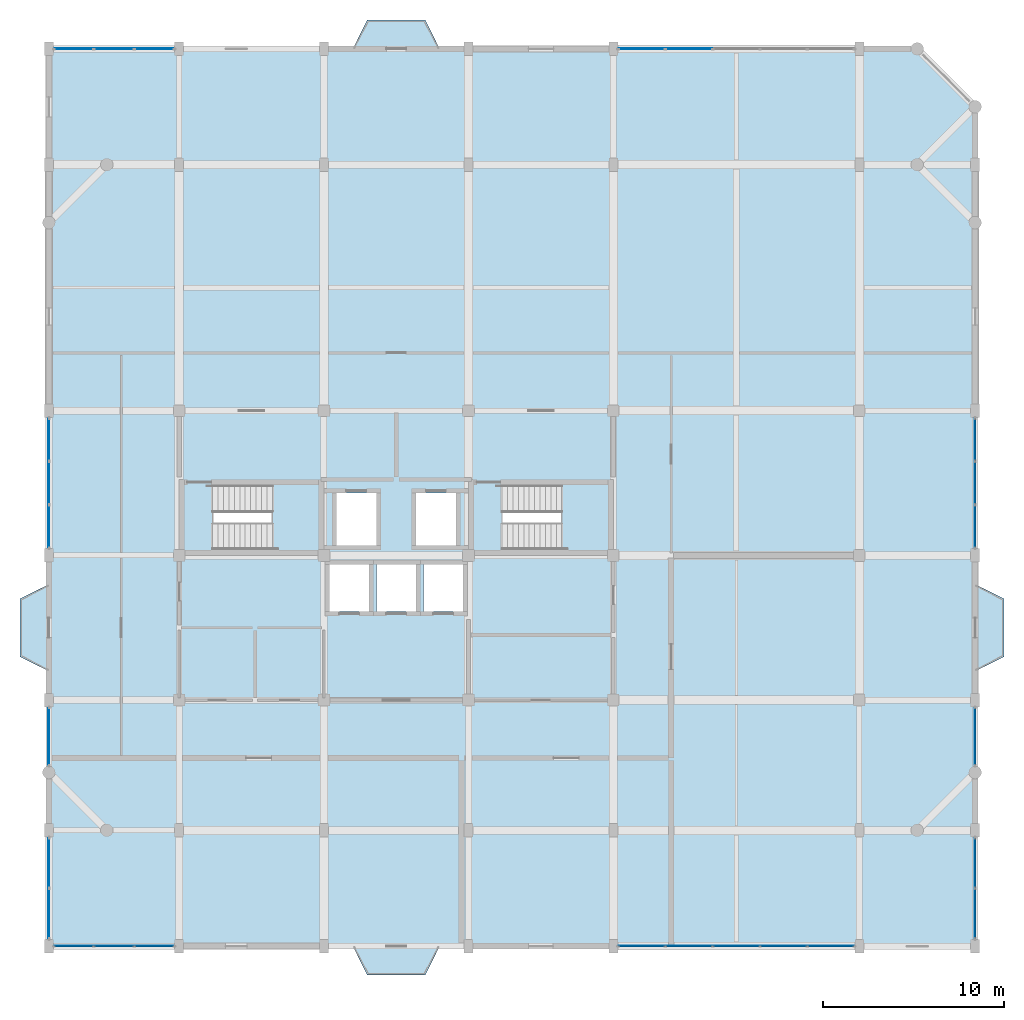
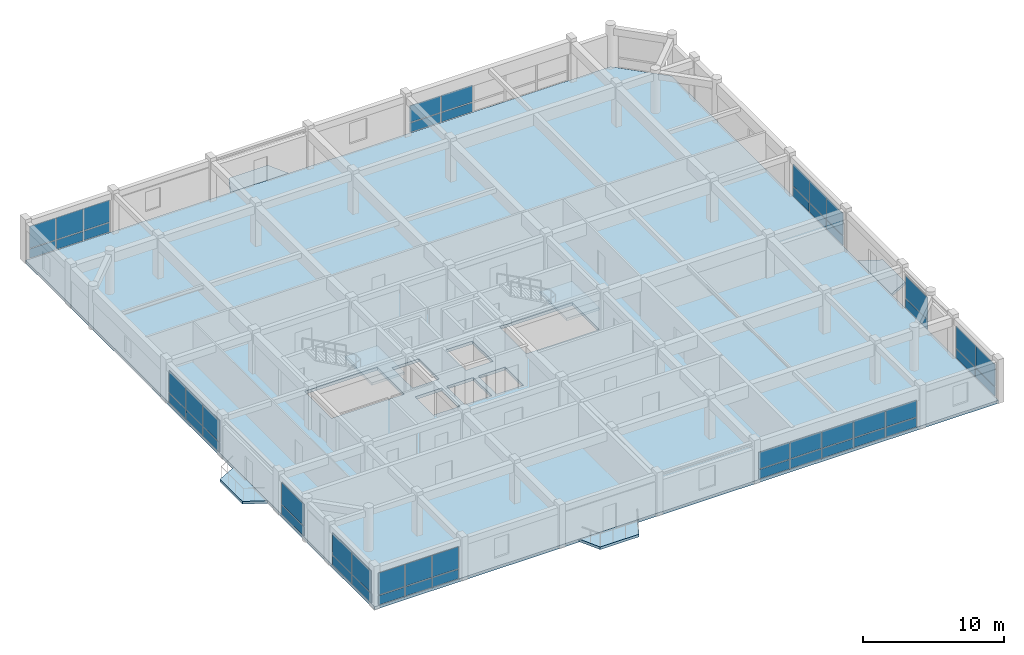
# One storey, part 9 of 13: 50 plates, 7 slabs, 12 elements without a shape of their own.
"""IFC4 building model written with IfcOpenShell, lengths in metres."""

from ifc_helpers import new_model, si_unit, direction, frame, origin, origin_2d, place, context, subcontext, project, spatial, polyline, rectangle, outline, extrude, material, layer, layer_set, type_object, element, aggregate, save


model = new_model("IFC4")

# Units and contexts
model_context = context("Model", 3, precision=1e-05, world=origin(), true_north=direction((0.0, 1.0)))
body_context = subcontext(model_context, "Body", "Model", "MODEL_VIEW")
ifc_project = project(units=[si_unit("LENGTHUNIT", "METRE"), si_unit("AREAUNIT", "SQUARE_METRE"), si_unit("VOLUMEUNIT", "CUBIC_METRE"), si_unit("PLANEANGLEUNIT", "RADIAN"), si_unit("MASSUNIT", "GRAM", prefix="KILO")], contexts=[model_context])

# Site, building, storey
site_placement = place(None, origin())
site = spatial("IfcSite", under=ifc_project, at=site_placement, CompositionType="ELEMENT")
building_placement = place(site_placement, origin())
building = spatial("IfcBuilding", under=site, at=building_placement, Name="Vellmiral Cinema and Media Centre", CompositionType="ELEMENT")
storey_placement = place(building_placement, frame((0.0, 0.0, 43.300048828125)))
storey = spatial("IfcBuildingStorey", under=building, at=storey_placement, Name="L10", CompositionType="ELEMENT", Elevation=43.300048828125)

# Curtain wall, plates
ifc_material_1 = material(Name="Thermally Broken Aluminium and Triple Glazing", Category="aluminium")
curtain_wall_type_1 = type_object("IfcCurtainWallType", Name="CW-TOWER-MID-W", PredefinedType="USERDEFINED", material=ifc_material_1)
curtain_wall_1_placement = place(storey_placement, origin())
curtain_wall_1 = element("IfcCurtainWall", 1, at=curtain_wall_1_placement, inside=storey, type_object=curtain_wall_type_1, Name="Curtain Wall L10-B017", ObjectType="UNITISED CURTAIN WALL", PredefinedType="USERDEFINED")
ifc_material_2 = material(Name="Laminated Studio Acoustic Glazing", Category="glass")
ifc_layer_1 = layer(ifc_material_2, 0.0439453125, Name="Laminated Studio Acoustic Glazing")
ifc_layer_set_1 = layer_set([ifc_layer_1], Name="Laminated Studio Acoustic Glazing")
plate_type_1 = type_object("IfcPlateType", Name="CWP-ACOUST-44", PredefinedType="CURTAIN_PANEL", material=ifc_layer_set_1)
plate_1_placement = place(storey_placement, frame((152.179931640625, 115.199951171875, 0.932373046875), z_axis=(0.0, 0.0, 1.0), x_axis=(-1.0, 0.0, 0.0)))
plate_1 = element("IfcPlate", 2, at=plate_1_placement, type_object=plate_type_1, Name="CW-08 panel 4.2", PredefinedType="CURTAIN_PANEL", context=body_context, shape_type="SweptSolid", body=[
    extrude(rectangle(XDim=2.554931640625, YDim=0.0439453125, at=origin_2d()), origin(), (0.0, 0.0, 1.0), 1.4375),
])
plate_2_placement = place(storey_placement, frame((149.576171875, 115.199951171875, 0.932373046875), z_axis=(0.0, 0.0, 1.0), x_axis=(-1.0, 0.0, 0.0)))
plate_2 = element("IfcPlate", 3, at=plate_2_placement, type_object=plate_type_1, Name="CW-08 panel 5.2", PredefinedType="CURTAIN_PANEL", context=body_context, shape_type="SweptSolid", body=[
    extrude(rectangle(XDim=2.5224609375, YDim=0.0439453125, at=origin_2d()), origin(), (0.0, 0.0, 1.0), 1.4375),
])

curtain_wall_2_placement = place(storey_placement, origin())
curtain_wall_2 = element("IfcCurtainWall", 4, at=curtain_wall_2_placement, inside=storey, type_object=curtain_wall_type_1, Name="Curtain Wall L10-B021", ObjectType="UNITISED CURTAIN WALL", PredefinedType="USERDEFINED")
plate_3_placement = place(storey_placement, frame((122.6171875, 115.199951171875, 0.9326171875), z_axis=(0.0, 0.0, 1.0), x_axis=(-1.0, 0.0, 0.0)))
plate_3 = element("IfcPlate", 5, at=plate_3_placement, type_object=plate_type_1, Name="CW-08 panel 1.2", PredefinedType="CURTAIN_PANEL", context=body_context, shape_type="SweptSolid", body=[
    extrude(rectangle(XDim=2.1357421875, YDim=0.0439453125, at=origin_2d()), origin(), (0.0, 0.0, 1.0), 1.902587890625),
])
plate_4_placement = place(storey_placement, frame((120.39990234375, 115.199951171875, 0.9326171875), z_axis=(0.0, 0.0, 1.0), x_axis=(-1.0, 0.0, 0.0)))
plate_4 = element("IfcPlate", 6, at=plate_4_placement, type_object=plate_type_1, Name="CW-08 panel 2.2", PredefinedType="CURTAIN_PANEL", context=body_context, shape_type="SweptSolid", body=[
    extrude(rectangle(XDim=2.168212890625, YDim=0.0439453125, at=origin_2d()), origin(), (0.0, 0.0, 1.0), 1.902587890625),
])
plate_5_placement = place(storey_placement, frame((118.182861328125, 115.199951171875, 0.9326171875), z_axis=(0.0, 0.0, 1.0), x_axis=(-1.0, 0.0, 0.0)))
plate_5 = element("IfcPlate", 7, at=plate_5_placement, type_object=plate_type_1, Name="CW-08 panel 3.2", PredefinedType="CURTAIN_PANEL", context=body_context, shape_type="SweptSolid", body=[
    extrude(rectangle(XDim=2.1357421875, YDim=0.0439453125, at=origin_2d()), origin(), (0.0, 0.0, 1.0), 1.902587890625),
])

curtain_wall_3_placement = place(storey_placement, origin())
curtain_wall_3 = element("IfcCurtainWall", 8, at=curtain_wall_3_placement, inside=storey, type_object=curtain_wall_type_1, Name="Curtain Wall L10-B025", ObjectType="UNITISED CURTAIN WALL", PredefinedType="USERDEFINED")
plate_6_placement = place(storey_placement, frame((116.800048828125, 93.600341796875, 0.9326171875), z_axis=(0.0, 0.0, 1.0), x_axis=(0.0, -1.0, 0.0)))
plate_6 = element("IfcPlate", 9, at=plate_6_placement, type_object=plate_type_1, Name="CW-08 panel 1.2", PredefinedType="CURTAIN_PANEL", context=body_context, shape_type="SweptSolid", body=[
    extrude(rectangle(XDim=2.319091796875, YDim=0.0439453125, at=origin_2d()), origin(), (0.0, 0.0, 1.0), 1.887451171875),
])
plate_7_placement = place(storey_placement, frame((116.800048828125, 91.199951171875, 0.9326171875), z_axis=(0.0, 0.0, 1.0), x_axis=(0.0, -1.0, 0.0)))
plate_7 = element("IfcPlate", 10, at=plate_7_placement, type_object=plate_type_1, Name="CW-08 panel 2.2", PredefinedType="CURTAIN_PANEL", context=body_context, shape_type="SweptSolid", body=[
    extrude(rectangle(XDim=2.3515625, YDim=0.0439453125, at=origin_2d()), origin(), (0.0, 0.0, 1.0), 1.887451171875),
])
plate_8_placement = place(storey_placement, frame((116.800048828125, 88.799560546875, 0.9326171875), z_axis=(0.0, 0.0, 1.0), x_axis=(0.0, -1.0, 0.0)))
plate_8 = element("IfcPlate", 11, at=plate_8_placement, type_object=plate_type_1, Name="CW-08 panel 3.2", PredefinedType="CURTAIN_PANEL", context=body_context, shape_type="SweptSolid", body=[
    extrude(rectangle(XDim=2.319091796875, YDim=0.0439453125, at=origin_2d()), origin(), (0.0, 0.0, 1.0), 1.887451171875),
])

# Curtain wall, plate
curtain_wall_4_placement = place(storey_placement, origin())
curtain_wall_4 = element("IfcCurtainWall", 12, at=curtain_wall_4_placement, inside=storey, type_object=curtain_wall_type_1, Name="Curtain Wall L10-B027", ObjectType="UNITISED CURTAIN WALL", PredefinedType="USERDEFINED")
plate_9_placement = place(storey_placement, frame((116.800048828125, 77.1875, 0.9326171875), z_axis=(0.0, 0.0, 1.0), x_axis=(0.0, -1.0, 0.0)))
plate_9 = element("IfcPlate", 13, at=plate_9_placement, type_object=plate_type_1, Name="CW-08 panel 1.2", PredefinedType="CURTAIN_PANEL", context=body_context, shape_type="SweptSolid", body=[
    extrude(rectangle(XDim=3.14501953125, YDim=0.0439453125, at=origin_2d()), origin(), (0.0, 0.0, 1.0), 1.902587890625),
])

# Curtain wall, plates
curtain_wall_5_placement = place(storey_placement, origin())
curtain_wall_5 = element("IfcCurtainWall", 14, at=curtain_wall_5_placement, inside=storey, type_object=curtain_wall_type_1, Name="Curtain Wall L10-B029", ObjectType="UNITISED CURTAIN WALL", PredefinedType="USERDEFINED")
plate_10_placement = place(storey_placement, frame((116.800048828125, 70.1962890625, 0.9326171875), z_axis=(0.0, 0.0, 1.0), x_axis=(0.0, -1.0, 0.0)))
plate_10 = element("IfcPlate", 15, at=plate_10_placement, type_object=plate_type_1, Name="CW-08 panel 1.2", PredefinedType="CURTAIN_PANEL", context=body_context, shape_type="SweptSolid", body=[
    extrude(rectangle(XDim=2.7275390625, YDim=0.0439453125, at=origin_2d()), origin(), (0.0, 0.0, 1.0), 1.902587890625),
])
plate_11_placement = place(storey_placement, frame((116.800048828125, 67.40380859375, 0.9326171875), z_axis=(0.0, 0.0, 1.0), x_axis=(0.0, -1.0, 0.0)))
plate_11 = element("IfcPlate", 16, at=plate_11_placement, type_object=plate_type_1, Name="CW-08 panel 2.2", PredefinedType="CURTAIN_PANEL", context=body_context, shape_type="SweptSolid", body=[
    extrude(rectangle(XDim=2.7275390625, YDim=0.0439453125, at=origin_2d()), origin(), (0.0, 0.0, 1.0), 1.902587890625),
])

ifc_material_3 = material(Name="Thermally Broken Aluminium and Triple Glazing", Category="aluminium")
curtain_wall_type_2 = type_object("IfcCurtainWallType", Name="CW-TOWER-MID-E", PredefinedType="USERDEFINED", material=ifc_material_3)
curtain_wall_6_placement = place(storey_placement, origin())
curtain_wall_6 = element("IfcCurtainWall", 17, at=curtain_wall_6_placement, inside=storey, type_object=curtain_wall_type_2, Name="Curtain Wall L10-B001", ObjectType="UNITISED CURTAIN WALL", PredefinedType="USERDEFINED")
ifc_material_4 = material(Name="Honed Vosges Sandstone Spandrel Panel", Category="masonry")
ifc_layer_2 = layer(ifc_material_4, 0.06005859375, Name="Honed Vosges Sandstone Spandrel Panel")
ifc_layer_set_2 = layer_set([ifc_layer_2], Name="Honed Vosges Sandstone Spandrel Panel")
plate_type_2 = type_object("IfcPlateType", Name="CWP-SAND-60", PredefinedType="CURTAIN_PANEL", material=ifc_layer_set_2)
plate_12_placement = place(storey_placement, frame((118.182861328125, 65.60009765625, 0.06494140625), z_axis=(0.0, 0.0, 1.0), x_axis=(1.0, 0.0, 0.0)))
plate_12 = element("IfcPlate", 18, at=plate_12_placement, type_object=plate_type_2, Name="CW-07 panel 1.1", PredefinedType="CURTAIN_PANEL", context=body_context, shape_type="SweptSolid", body=[
    extrude(rectangle(XDim=2.1357421875, YDim=0.06005859375, at=origin_2d()), origin(), (0.0, 0.0, 1.0), 0.802490234375),
])
plate_13_placement = place(storey_placement, frame((120.39990234375, 65.60009765625, 0.06494140625), z_axis=(0.0, 0.0, 1.0), x_axis=(1.0, 0.0, 0.0)))
plate_13 = element("IfcPlate", 19, at=plate_13_placement, type_object=plate_type_2, Name="CW-07 panel 2.1", PredefinedType="CURTAIN_PANEL", context=body_context, shape_type="SweptSolid", body=[
    extrude(rectangle(XDim=2.168212890625, YDim=0.06005859375, at=origin_2d()), origin(), (0.0, 0.0, 1.0), 0.802490234375),
])
plate_14_placement = place(storey_placement, frame((122.6171875, 65.60009765625, 0.06494140625), z_axis=(0.0, 0.0, 1.0), x_axis=(1.0, 0.0, 0.0)))
plate_14 = element("IfcPlate", 20, at=plate_14_placement, type_object=plate_type_2, Name="CW-07 panel 3.1", PredefinedType="CURTAIN_PANEL", context=body_context, shape_type="SweptSolid", body=[
    extrude(rectangle(XDim=2.1357421875, YDim=0.06005859375, at=origin_2d()), origin(), (0.0, 0.0, 1.0), 0.802490234375),
])

curtain_wall_7_placement = place(storey_placement, origin())
curtain_wall_7 = element("IfcCurtainWall", 21, at=curtain_wall_7_placement, inside=storey, type_object=curtain_wall_type_2, Name="Curtain Wall L10-B005", ObjectType="UNITISED CURTAIN WALL", PredefinedType="USERDEFINED")
plate_15_placement = place(storey_placement, frame((149.576171875, 65.60009765625, 0.06494140625), z_axis=(0.0, 0.0, 1.0), x_axis=(1.0, 0.0, 0.0)))
plate_15 = element("IfcPlate", 22, at=plate_15_placement, type_object=plate_type_2, Name="CW-07 panel 1.1", PredefinedType="CURTAIN_PANEL", context=body_context, shape_type="SweptSolid", body=[
    extrude(rectangle(XDim=2.5224609375, YDim=0.06005859375, at=origin_2d()), origin(), (0.0, 0.0, 1.0), 0.802490234375),
])
plate_16_placement = place(storey_placement, frame((152.179931640625, 65.60009765625, 0.06494140625), z_axis=(0.0, 0.0, 1.0), x_axis=(1.0, 0.0, 0.0)))
plate_16 = element("IfcPlate", 23, at=plate_16_placement, type_object=plate_type_2, Name="CW-07 panel 2.1", PredefinedType="CURTAIN_PANEL", context=body_context, shape_type="SweptSolid", body=[
    extrude(rectangle(XDim=2.554931640625, YDim=0.06005859375, at=origin_2d()), origin(), (0.0, 0.0, 1.0), 0.802490234375),
])
plate_17_placement = place(storey_placement, frame((154.800048828125, 65.60009765625, 0.06494140625), z_axis=(0.0, 0.0, 1.0), x_axis=(1.0, 0.0, 0.0)))
plate_17 = element("IfcPlate", 24, at=plate_17_placement, type_object=plate_type_2, Name="CW-07 panel 3.1", PredefinedType="CURTAIN_PANEL", context=body_context, shape_type="SweptSolid", body=[
    extrude(rectangle(XDim=2.554931640625, YDim=0.06005859375, at=origin_2d()), origin(), (0.0, 0.0, 1.0), 0.802490234375),
])
plate_18_placement = place(storey_placement, frame((157.419921875, 65.60009765625, 0.06494140625), z_axis=(0.0, 0.0, 1.0), x_axis=(1.0, 0.0, 0.0)))
plate_18 = element("IfcPlate", 25, at=plate_18_placement, type_object=plate_type_2, Name="CW-07 panel 4.1", PredefinedType="CURTAIN_PANEL", context=body_context, shape_type="SweptSolid", body=[
    extrude(rectangle(XDim=2.554931640625, YDim=0.06005859375, at=origin_2d()), origin(), (0.0, 0.0, 1.0), 0.802490234375),
])
plate_19_placement = place(storey_placement, frame((160.023681640625, 65.60009765625, 0.06494140625), z_axis=(0.0, 0.0, 1.0), x_axis=(1.0, 0.0, 0.0)))
plate_19 = element("IfcPlate", 26, at=plate_19_placement, type_object=plate_type_2, Name="CW-07 panel 5.1", PredefinedType="CURTAIN_PANEL", context=body_context, shape_type="SweptSolid", body=[
    extrude(rectangle(XDim=2.5224609375, YDim=0.06005859375, at=origin_2d()), origin(), (0.0, 0.0, 1.0), 0.802490234375),
])

curtain_wall_8_placement = place(storey_placement, origin())
curtain_wall_8 = element("IfcCurtainWall", 27, at=curtain_wall_8_placement, inside=storey, type_object=curtain_wall_type_2, Name="Curtain Wall L10-B007", ObjectType="UNITISED CURTAIN WALL", PredefinedType="USERDEFINED")
plate_20_placement = place(storey_placement, frame((168.0, 67.40380859375, 0.06494140625), z_axis=(0.0, 0.0, 1.0), x_axis=(0.0, 1.0, 0.0)))
plate_20 = element("IfcPlate", 28, at=plate_20_placement, type_object=plate_type_2, Name="CW-07 panel 1.1", PredefinedType="CURTAIN_PANEL", context=body_context, shape_type="SweptSolid", body=[
    extrude(rectangle(XDim=2.7275390625, YDim=0.06005859375, at=origin_2d()), origin(), (0.0, 0.0, 1.0), 0.802490234375),
])
plate_21_placement = place(storey_placement, frame((168.0, 70.1962890625, 0.06494140625), z_axis=(0.0, 0.0, 1.0), x_axis=(0.0, 1.0, 0.0)))
plate_21 = element("IfcPlate", 29, at=plate_21_placement, type_object=plate_type_2, Name="CW-07 panel 2.1", PredefinedType="CURTAIN_PANEL", context=body_context, shape_type="SweptSolid", body=[
    extrude(rectangle(XDim=2.7275390625, YDim=0.06005859375, at=origin_2d()), origin(), (0.0, 0.0, 1.0), 0.802490234375),
])

# Curtain wall, plate
curtain_wall_9_placement = place(storey_placement, origin())
curtain_wall_9 = element("IfcCurtainWall", 30, at=curtain_wall_9_placement, inside=storey, type_object=curtain_wall_type_2, Name="Curtain Wall L10-B009", ObjectType="UNITISED CURTAIN WALL", PredefinedType="USERDEFINED")
plate_22_placement = place(storey_placement, frame((168.0, 77.1875, 0.06494140625), z_axis=(0.0, 0.0, 1.0), x_axis=(0.0, 1.0, 0.0)))
plate_22 = element("IfcPlate", 31, at=plate_22_placement, type_object=plate_type_2, Name="CW-07 panel 1.1", PredefinedType="CURTAIN_PANEL", context=body_context, shape_type="SweptSolid", body=[
    extrude(rectangle(XDim=3.14501953125, YDim=0.06005859375, at=origin_2d()), origin(), (0.0, 0.0, 1.0), 0.802490234375),
])

# Curtain wall, plates
curtain_wall_10_placement = place(storey_placement, origin())
curtain_wall_10 = element("IfcCurtainWall", 32, at=curtain_wall_10_placement, inside=storey, type_object=curtain_wall_type_2, Name="Curtain Wall L10-B011", ObjectType="UNITISED CURTAIN WALL", PredefinedType="USERDEFINED")
plate_23_placement = place(storey_placement, frame((168.0, 88.799560546875, 0.06494140625), z_axis=(0.0, 0.0, 1.0), x_axis=(0.0, 1.0, 0.0)))
plate_23 = element("IfcPlate", 33, at=plate_23_placement, type_object=plate_type_2, Name="CW-07 panel 1.1", PredefinedType="CURTAIN_PANEL", context=body_context, shape_type="SweptSolid", body=[
    extrude(rectangle(XDim=2.319091796875, YDim=0.06005859375, at=origin_2d()), origin(), (0.0, 0.0, 1.0), 0.802490234375),
])
plate_24_placement = place(storey_placement, frame((168.0, 91.199951171875, 0.06494140625), z_axis=(0.0, 0.0, 1.0), x_axis=(0.0, 1.0, 0.0)))
plate_24 = element("IfcPlate", 34, at=plate_24_placement, type_object=plate_type_2, Name="CW-07 panel 2.1", PredefinedType="CURTAIN_PANEL", context=body_context, shape_type="SweptSolid", body=[
    extrude(rectangle(XDim=2.3515625, YDim=0.06005859375, at=origin_2d()), origin(), (0.0, 0.0, 1.0), 0.802490234375),
])
plate_25_placement = place(storey_placement, frame((168.0, 93.600341796875, 0.06494140625), z_axis=(0.0, 0.0, 1.0), x_axis=(0.0, 1.0, 0.0)))
plate_25 = element("IfcPlate", 35, at=plate_25_placement, type_object=plate_type_2, Name="CW-07 panel 3.1", PredefinedType="CURTAIN_PANEL", context=body_context, shape_type="SweptSolid", body=[
    extrude(rectangle(XDim=2.319091796875, YDim=0.06005859375, at=origin_2d()), origin(), (0.0, 0.0, 1.0), 0.802490234375),
])

# Plate
ifc_material_5 = material(Name="Solar-Control Acoustic Triple Glazing", Category="glass")
ifc_layer_3 = layer(ifc_material_5, 0.0419921875, Name="Solar-Control Acoustic Triple Glazing")
ifc_layer_set_3 = layer_set([ifc_layer_3], Name="Solar-Control Acoustic Triple Glazing")
plate_type_3 = type_object("IfcPlateType", Name="CWP-SOLAR-42", PredefinedType="CURTAIN_PANEL", material=ifc_layer_set_3)
plate_26_placement = place(storey_placement, frame((118.182861328125, 65.60009765625, 0.9326171875), z_axis=(0.0, 0.0, 1.0), x_axis=(1.0, 0.0, 0.0)))
plate_26 = element("IfcPlate", 36, at=plate_26_placement, type_object=plate_type_3, Name="CW-07 panel 1.2", PredefinedType="CURTAIN_PANEL", context=body_context, shape_type="SweptSolid", body=[
    extrude(rectangle(XDim=2.1357421875, YDim=0.0419921875, at=origin_2d()), origin(), (0.0, 0.0, 1.0), 1.902587890625),
])

plate_27_placement = place(storey_placement, frame((120.39990234375, 65.60009765625, 0.9326171875), z_axis=(0.0, 0.0, 1.0), x_axis=(1.0, 0.0, 0.0)))
plate_27 = element("IfcPlate", 37, at=plate_27_placement, type_object=plate_type_3, Name="CW-07 panel 2.2", PredefinedType="CURTAIN_PANEL", context=body_context, shape_type="SweptSolid", body=[
    extrude(rectangle(XDim=2.168212890625, YDim=0.0419921875, at=origin_2d()), origin(), (0.0, 0.0, 1.0), 1.902587890625),
])

plate_28_placement = place(storey_placement, frame((122.6171875, 65.60009765625, 0.9326171875), z_axis=(0.0, 0.0, 1.0), x_axis=(1.0, 0.0, 0.0)))
plate_28 = element("IfcPlate", 38, at=plate_28_placement, type_object=plate_type_3, Name="CW-07 panel 3.2", PredefinedType="CURTAIN_PANEL", context=body_context, shape_type="SweptSolid", body=[
    extrude(rectangle(XDim=2.1357421875, YDim=0.0419921875, at=origin_2d()), origin(), (0.0, 0.0, 1.0), 1.902587890625),
])

aggregate(curtain_wall_6, [plate_12, plate_26, plate_13, plate_27, plate_14, plate_28])

plate_29_placement = place(storey_placement, frame((149.576171875, 65.60009765625, 0.932373046875), z_axis=(0.0, 0.0, 1.0), x_axis=(1.0, 0.0, 0.0)))
plate_29 = element("IfcPlate", 39, at=plate_29_placement, type_object=plate_type_3, Name="CW-07 panel 1.2", PredefinedType="CURTAIN_PANEL", context=body_context, shape_type="SweptSolid", body=[
    extrude(rectangle(XDim=2.5224609375, YDim=0.0419921875, at=origin_2d()), origin(), (0.0, 0.0, 1.0), 1.4375),
])

plate_30_placement = place(storey_placement, frame((152.179931640625, 65.60009765625, 0.932373046875), z_axis=(0.0, 0.0, 1.0), x_axis=(1.0, 0.0, 0.0)))
plate_30 = element("IfcPlate", 40, at=plate_30_placement, type_object=plate_type_3, Name="CW-07 panel 2.2", PredefinedType="CURTAIN_PANEL", context=body_context, shape_type="SweptSolid", body=[
    extrude(rectangle(XDim=2.554931640625, YDim=0.0419921875, at=origin_2d()), origin(), (0.0, 0.0, 1.0), 1.4375),
])

plate_31_placement = place(storey_placement, frame((154.800048828125, 65.60009765625, 0.932373046875), z_axis=(0.0, 0.0, 1.0), x_axis=(1.0, 0.0, 0.0)))
plate_31 = element("IfcPlate", 41, at=plate_31_placement, type_object=plate_type_3, Name="CW-07 panel 3.2", PredefinedType="CURTAIN_PANEL", context=body_context, shape_type="SweptSolid", body=[
    extrude(rectangle(XDim=2.554931640625, YDim=0.0419921875, at=origin_2d()), origin(), (0.0, 0.0, 1.0), 1.4375),
])

plate_32_placement = place(storey_placement, frame((157.419921875, 65.60009765625, 0.932373046875), z_axis=(0.0, 0.0, 1.0), x_axis=(1.0, 0.0, 0.0)))
plate_32 = element("IfcPlate", 42, at=plate_32_placement, type_object=plate_type_3, Name="CW-07 panel 4.2", PredefinedType="CURTAIN_PANEL", context=body_context, shape_type="SweptSolid", body=[
    extrude(rectangle(XDim=2.554931640625, YDim=0.0419921875, at=origin_2d()), origin(), (0.0, 0.0, 1.0), 1.4375),
])

plate_33_placement = place(storey_placement, frame((160.023681640625, 65.60009765625, 0.932373046875), z_axis=(0.0, 0.0, 1.0), x_axis=(1.0, 0.0, 0.0)))
plate_33 = element("IfcPlate", 43, at=plate_33_placement, type_object=plate_type_3, Name="CW-07 panel 5.2", PredefinedType="CURTAIN_PANEL", context=body_context, shape_type="SweptSolid", body=[
    extrude(rectangle(XDim=2.5224609375, YDim=0.0419921875, at=origin_2d()), origin(), (0.0, 0.0, 1.0), 1.4375),
])

aggregate(curtain_wall_7, [plate_15, plate_29, plate_16, plate_30, plate_17, plate_31, plate_18, plate_32, plate_19, plate_33])

plate_34_placement = place(storey_placement, frame((168.0, 67.40380859375, 0.9326171875), z_axis=(0.0, 0.0, 1.0), x_axis=(0.0, 1.0, 0.0)))
plate_34 = element("IfcPlate", 44, at=plate_34_placement, type_object=plate_type_3, Name="CW-07 panel 1.2", PredefinedType="CURTAIN_PANEL", context=body_context, shape_type="SweptSolid", body=[
    extrude(rectangle(XDim=2.7275390625, YDim=0.0419921875, at=origin_2d()), origin(), (0.0, 0.0, 1.0), 1.902587890625),
])

plate_35_placement = place(storey_placement, frame((168.0, 70.1962890625, 0.9326171875), z_axis=(0.0, 0.0, 1.0), x_axis=(0.0, 1.0, 0.0)))
plate_35 = element("IfcPlate", 45, at=plate_35_placement, type_object=plate_type_3, Name="CW-07 panel 2.2", PredefinedType="CURTAIN_PANEL", context=body_context, shape_type="SweptSolid", body=[
    extrude(rectangle(XDim=2.7275390625, YDim=0.0419921875, at=origin_2d()), origin(), (0.0, 0.0, 1.0), 1.902587890625),
])

aggregate(curtain_wall_8, [plate_20, plate_34, plate_21, plate_35])

plate_36_placement = place(storey_placement, frame((168.0, 77.1875, 0.9326171875), z_axis=(0.0, 0.0, 1.0), x_axis=(0.0, 1.0, 0.0)))
plate_36 = element("IfcPlate", 46, at=plate_36_placement, type_object=plate_type_3, Name="CW-07 panel 1.2", PredefinedType="CURTAIN_PANEL", context=body_context, shape_type="SweptSolid", body=[
    extrude(rectangle(XDim=3.14501953125, YDim=0.0419921875, at=origin_2d()), origin(), (0.0, 0.0, 1.0), 1.902587890625),
])

aggregate(curtain_wall_9, [plate_22, plate_36])

plate_37_placement = place(storey_placement, frame((168.0, 88.799560546875, 0.9326171875), z_axis=(0.0, 0.0, 1.0), x_axis=(0.0, 1.0, 0.0)))
plate_37 = element("IfcPlate", 47, at=plate_37_placement, type_object=plate_type_3, Name="CW-07 panel 1.2", PredefinedType="CURTAIN_PANEL", context=body_context, shape_type="SweptSolid", body=[
    extrude(rectangle(XDim=2.319091796875, YDim=0.0419921875, at=origin_2d()), origin(), (0.0, 0.0, 1.0), 1.902587890625),
])

plate_38_placement = place(storey_placement, frame((168.0, 91.199951171875, 0.9326171875), z_axis=(0.0, 0.0, 1.0), x_axis=(0.0, 1.0, 0.0)))
plate_38 = element("IfcPlate", 48, at=plate_38_placement, type_object=plate_type_3, Name="CW-07 panel 2.2", PredefinedType="CURTAIN_PANEL", context=body_context, shape_type="SweptSolid", body=[
    extrude(rectangle(XDim=2.3515625, YDim=0.0419921875, at=origin_2d()), origin(), (0.0, 0.0, 1.0), 1.902587890625),
])

plate_39_placement = place(storey_placement, frame((168.0, 93.600341796875, 0.9326171875), z_axis=(0.0, 0.0, 1.0), x_axis=(0.0, 1.0, 0.0)))
plate_39 = element("IfcPlate", 49, at=plate_39_placement, type_object=plate_type_3, Name="CW-07 panel 3.2", PredefinedType="CURTAIN_PANEL", context=body_context, shape_type="SweptSolid", body=[
    extrude(rectangle(XDim=2.319091796875, YDim=0.0419921875, at=origin_2d()), origin(), (0.0, 0.0, 1.0), 1.902587890625),
])

aggregate(curtain_wall_10, [plate_23, plate_37, plate_24, plate_38, plate_25, plate_39])

ifc_material_6 = material(Name="Polychrome Trencadis Ceramic Spandrel Panel", Category="ceramic")
ifc_layer_4 = layer(ifc_material_6, 0.052001953125, Name="Polychrome Trencadis Ceramic Spandrel Panel")
ifc_layer_set_4 = layer_set([ifc_layer_4], Name="Polychrome Trencadis Ceramic Spandrel Panel")
plate_type_4 = type_object("IfcPlateType", Name="CWP-TRENC-52", PredefinedType="CURTAIN_PANEL", material=ifc_layer_set_4)
plate_40_placement = place(storey_placement, frame((152.179931640625, 115.199951171875, 0.06494140625), z_axis=(0.0, 0.0, 1.0), x_axis=(-1.0, 0.0, 0.0)))
plate_40 = element("IfcPlate", 50, at=plate_40_placement, type_object=plate_type_4, Name="CW-08 panel 4.1", PredefinedType="CURTAIN_PANEL", context=body_context, shape_type="SweptSolid", body=[
    extrude(rectangle(XDim=2.554931640625, YDim=0.052001953125, at=origin_2d()), origin(), (0.0, 0.0, 1.0), 0.802490234375),
])

plate_41_placement = place(storey_placement, frame((149.576171875, 115.199951171875, 0.06494140625), z_axis=(0.0, 0.0, 1.0), x_axis=(-1.0, 0.0, 0.0)))
plate_41 = element("IfcPlate", 51, at=plate_41_placement, type_object=plate_type_4, Name="CW-08 panel 5.1", PredefinedType="CURTAIN_PANEL", context=body_context, shape_type="SweptSolid", body=[
    extrude(rectangle(XDim=2.5224609375, YDim=0.052001953125, at=origin_2d()), origin(), (0.0, 0.0, 1.0), 0.802490234375),
])

aggregate(curtain_wall_1, [plate_40, plate_1, plate_41, plate_2])

plate_42_placement = place(storey_placement, frame((122.6171875, 115.199951171875, 0.06494140625), z_axis=(0.0, 0.0, 1.0), x_axis=(-1.0, 0.0, 0.0)))
plate_42 = element("IfcPlate", 52, at=plate_42_placement, type_object=plate_type_4, Name="CW-08 panel 1.1", PredefinedType="CURTAIN_PANEL", context=body_context, shape_type="SweptSolid", body=[
    extrude(rectangle(XDim=2.1357421875, YDim=0.052001953125, at=origin_2d()), origin(), (0.0, 0.0, 1.0), 0.802490234375),
])

plate_43_placement = place(storey_placement, frame((120.39990234375, 115.199951171875, 0.06494140625), z_axis=(0.0, 0.0, 1.0), x_axis=(-1.0, 0.0, 0.0)))
plate_43 = element("IfcPlate", 53, at=plate_43_placement, type_object=plate_type_4, Name="CW-08 panel 2.1", PredefinedType="CURTAIN_PANEL", context=body_context, shape_type="SweptSolid", body=[
    extrude(rectangle(XDim=2.168212890625, YDim=0.052001953125, at=origin_2d()), origin(), (0.0, 0.0, 1.0), 0.802490234375),
])

plate_44_placement = place(storey_placement, frame((118.182861328125, 115.199951171875, 0.06494140625), z_axis=(0.0, 0.0, 1.0), x_axis=(-1.0, 0.0, 0.0)))
plate_44 = element("IfcPlate", 54, at=plate_44_placement, type_object=plate_type_4, Name="CW-08 panel 3.1", PredefinedType="CURTAIN_PANEL", context=body_context, shape_type="SweptSolid", body=[
    extrude(rectangle(XDim=2.1357421875, YDim=0.052001953125, at=origin_2d()), origin(), (0.0, 0.0, 1.0), 0.802490234375),
])

aggregate(curtain_wall_2, [plate_42, plate_3, plate_43, plate_4, plate_44, plate_5])

plate_45_placement = place(storey_placement, frame((116.800048828125, 93.600341796875, 0.06494140625), z_axis=(0.0, 0.0, 1.0), x_axis=(0.0, -1.0, 0.0)))
plate_45 = element("IfcPlate", 55, at=plate_45_placement, type_object=plate_type_4, Name="CW-08 panel 1.1", PredefinedType="CURTAIN_PANEL", context=body_context, shape_type="SweptSolid", body=[
    extrude(rectangle(XDim=2.319091796875, YDim=0.052001953125, at=origin_2d()), origin(), (0.0, 0.0, 1.0), 0.802490234375),
])

plate_46_placement = place(storey_placement, frame((116.800048828125, 91.199951171875, 0.06494140625), z_axis=(0.0, 0.0, 1.0), x_axis=(0.0, -1.0, 0.0)))
plate_46 = element("IfcPlate", 56, at=plate_46_placement, type_object=plate_type_4, Name="CW-08 panel 2.1", PredefinedType="CURTAIN_PANEL", context=body_context, shape_type="SweptSolid", body=[
    extrude(rectangle(XDim=2.3515625, YDim=0.052001953125, at=origin_2d()), origin(), (0.0, 0.0, 1.0), 0.802490234375),
])

plate_47_placement = place(storey_placement, frame((116.800048828125, 88.799560546875, 0.06494140625), z_axis=(0.0, 0.0, 1.0), x_axis=(0.0, -1.0, 0.0)))
plate_47 = element("IfcPlate", 57, at=plate_47_placement, type_object=plate_type_4, Name="CW-08 panel 3.1", PredefinedType="CURTAIN_PANEL", context=body_context, shape_type="SweptSolid", body=[
    extrude(rectangle(XDim=2.319091796875, YDim=0.052001953125, at=origin_2d()), origin(), (0.0, 0.0, 1.0), 0.802490234375),
])

aggregate(curtain_wall_3, [plate_45, plate_6, plate_46, plate_7, plate_47, plate_8])

plate_48_placement = place(storey_placement, frame((116.800048828125, 77.1875, 0.06494140625), z_axis=(0.0, 0.0, 1.0), x_axis=(0.0, -1.0, 0.0)))
plate_48 = element("IfcPlate", 58, at=plate_48_placement, type_object=plate_type_4, Name="CW-08 panel 1.1", PredefinedType="CURTAIN_PANEL", context=body_context, shape_type="SweptSolid", body=[
    extrude(rectangle(XDim=3.14501953125, YDim=0.052001953125, at=origin_2d()), origin(), (0.0, 0.0, 1.0), 0.802490234375),
])

aggregate(curtain_wall_4, [plate_48, plate_9])

plate_49_placement = place(storey_placement, frame((116.800048828125, 70.1962890625, 0.06494140625), z_axis=(0.0, 0.0, 1.0), x_axis=(0.0, -1.0, 0.0)))
plate_49 = element("IfcPlate", 59, at=plate_49_placement, type_object=plate_type_4, Name="CW-08 panel 1.1", PredefinedType="CURTAIN_PANEL", context=body_context, shape_type="SweptSolid", body=[
    extrude(rectangle(XDim=2.7275390625, YDim=0.052001953125, at=origin_2d()), origin(), (0.0, 0.0, 1.0), 0.802490234375),
])

plate_50_placement = place(storey_placement, frame((116.800048828125, 67.40380859375, 0.06494140625), z_axis=(0.0, 0.0, 1.0), x_axis=(0.0, -1.0, 0.0)))
plate_50 = element("IfcPlate", 60, at=plate_50_placement, type_object=plate_type_4, Name="CW-08 panel 2.1", PredefinedType="CURTAIN_PANEL", context=body_context, shape_type="SweptSolid", body=[
    extrude(rectangle(XDim=2.7275390625, YDim=0.052001953125, at=origin_2d()), origin(), (0.0, 0.0, 1.0), 0.802490234375),
])

aggregate(curtain_wall_5, [plate_49, plate_10, plate_50, plate_11])

# Slab
ifc_material_7 = material(Name="Concrete C40/50", Category="concrete")
ifc_layer_5 = layer(ifc_material_7, 0.260009765625, Name="Concrete C40/50")
ifc_layer_set_5 = layer_set([ifc_layer_5], Name="Concrete C40/50")
slab_type_1 = type_object("IfcSlabType", Name="SLB-FLR-260", PredefinedType="FLOOR", material=ifc_layer_set_5)
slab_1_placement = place(storey_placement, frame((0.0, 0.0, -0.260009765625)))
element("IfcSlab", 61, at=slab_1_placement, inside=storey, type_object=slab_type_1, Name="L10 Structural Slab", PredefinedType="FLOOR", context=body_context, shape_type="SweptSolid", body=[
    extrude(outline(polyline([(116.800048828125, 65.60009765625), (168.0, 65.60009765625), (168.0, 112.0), (164.800048828125, 115.199951171875), (116.800048828125, 115.199951171875), (116.800048828125, 65.60009765625)]), holes=[polyline([(125.85009765625, 87.3798828125), (131.820068359375, 87.3798828125), (131.820068359375, 91.219970703125), (125.85009765625, 91.219970703125), (125.85009765625, 87.3798828125)]), polyline([(141.85009765625, 87.3798828125), (147.820068359375, 87.3798828125), (147.820068359375, 91.219970703125), (141.85009765625, 91.219970703125), (141.85009765625, 87.3798828125)]), polyline([(132.699951171875, 87.75), (134.89990234375, 87.75), (134.89990234375, 90.64990234375), (132.699951171875, 90.64990234375), (132.699951171875, 87.75)]), polyline([(137.10009765625, 87.75), (139.300048828125, 87.75), (139.300048828125, 90.64990234375), (137.10009765625, 90.64990234375), (137.10009765625, 87.75)]), polyline([(132.300048828125, 84.10009765625), (134.5, 84.10009765625), (134.5, 86.699951171875), (132.300048828125, 86.699951171875), (132.300048828125, 84.10009765625)]), polyline([(134.89990234375, 84.10009765625), (137.10009765625, 84.10009765625), (137.10009765625, 86.699951171875), (134.89990234375, 86.699951171875), (134.89990234375, 84.10009765625)]), polyline([(137.5, 84.10009765625), (139.699951171875, 84.10009765625), (139.699951171875, 86.699951171875), (137.5, 86.699951171875), (137.5, 84.10009765625)])]), origin(), (0.0, 0.0, 1.0), 0.260009765625),
])

# Stair, slab
ifc_material_8 = material(Name="Concrete C40/50", Category="concrete")
stair_type = type_object("IfcStairType", Name="ST-2RET-380", PredefinedType="HALF_TURN_STAIR", material=ifc_material_8)
stair_1_placement = place(storey_placement, origin())
stair_1 = element("IfcStair", 62, at=stair_1_placement, inside=storey, type_object=stair_type, Name="Protected Escape Stair ST-T1 (L10)", PredefinedType="HALF_TURN_STAIR")
ifc_material_9 = material(Name="Concrete C40/50", Category="concrete")
ifc_layer_6 = layer(ifc_material_9, 0.219970703125, Name="Concrete C40/50")
ifc_layer_set_6 = layer_set([ifc_layer_6], Name="Concrete C40/50")
slab_type_2 = type_object("IfcSlabType", Name="SLB-LAND-220", PredefinedType="LANDING", material=ifc_layer_set_6)
slab_2_placement = place(storey_placement, frame((0.0, 0.0, 1.679931640625)))
slab_2 = element("IfcSlab", 63, at=slab_2_placement, type_object=slab_type_2, Name="ST-T1 landing 1", PredefinedType="LANDING", context=body_context, shape_type="SweptSolid", body=[
    extrude(outline(polyline([(129.14990234375, 87.3798828125), (131.820068359375, 87.3798828125), (131.820068359375, 91.219970703125), (129.14990234375, 91.219970703125), (129.14990234375, 87.3798828125)])), origin(), (0.0, 0.0, 1.0), 0.219970703125),
])
aggregate(stair_1, [slab_2])

stair_2_placement = place(storey_placement, origin())
stair_2 = element("IfcStair", 64, at=stair_2_placement, inside=storey, type_object=stair_type, Name="Protected Escape Stair ST-T2 (L10)", PredefinedType="HALF_TURN_STAIR")
slab_3_placement = place(storey_placement, frame((0.0, 0.0, 1.679931640625)))
slab_3 = element("IfcSlab", 65, at=slab_3_placement, type_object=slab_type_2, Name="ST-T2 landing 1", PredefinedType="LANDING", context=body_context, shape_type="SweptSolid", body=[
    extrude(outline(polyline([(145.14990234375, 87.3798828125), (147.820068359375, 87.3798828125), (147.820068359375, 91.219970703125), (145.14990234375, 91.219970703125), (145.14990234375, 87.3798828125)])), origin(), (0.0, 0.0, 1.0), 0.219970703125),
])
aggregate(stair_2, [slab_3])

# Slabs
ifc_material_10 = material(Name="Concrete C40/50", Category="concrete")
ifc_layer_7 = layer(ifc_material_10, 0.22998046875, Name="Concrete C40/50")
ifc_layer_set_7 = layer_set([ifc_layer_7], Name="Concrete C40/50")
slab_type_3 = type_object("IfcSlabType", Name="SLB-MIRA-230", PredefinedType="FLOOR", material=ifc_layer_set_7)
slab_4_placement = place(storey_placement, frame((0.0, 0.0, -0.22998046875)))
element("IfcSlab", 66, at=slab_4_placement, inside=storey, type_object=slab_type_3, Name="Catalan Mirador Balcony L10-E", PredefinedType="FLOOR", context=body_context, shape_type="SweptSolid", body=[
    extrude(outline(polyline([(168.0, 80.800048828125), (169.60009765625, 81.60009765625), (169.60009765625, 84.800048828125), (168.0, 85.60009765625), (168.0, 80.800048828125)])), origin(), (0.0, 0.0, 1.0), 0.22998046875),
])
slab_5_placement = place(storey_placement, frame((0.0, 0.0, -0.22998046875)))
element("IfcSlab", 67, at=slab_5_placement, inside=storey, type_object=slab_type_3, Name="Catalan Mirador Balcony L10-N", PredefinedType="FLOOR", context=body_context, shape_type="SweptSolid", body=[
    extrude(outline(polyline([(133.60009765625, 115.199951171875), (138.39990234375, 115.199951171875), (137.60009765625, 116.800048828125), (134.39990234375, 116.800048828125), (133.60009765625, 115.199951171875)])), origin(), (0.0, 0.0, 1.0), 0.22998046875),
])
slab_6_placement = place(storey_placement, frame((0.0, 0.0, -0.22998046875)))
element("IfcSlab", 68, at=slab_6_placement, inside=storey, type_object=slab_type_3, Name="Catalan Mirador Balcony L10-W", PredefinedType="FLOOR", context=body_context, shape_type="SweptSolid", body=[
    extrude(outline(polyline([(116.800048828125, 80.800048828125), (116.800048828125, 85.60009765625), (115.199951171875, 84.800048828125), (115.199951171875, 81.60009765625), (116.800048828125, 80.800048828125)])), origin(), (0.0, 0.0, 1.0), 0.22998046875),
])
slab_7_placement = place(storey_placement, frame((0.0, 0.0, -0.22998046875)))
element("IfcSlab", 69, at=slab_7_placement, inside=storey, type_object=slab_type_3, Name="Catalan Mirador Balcony L10-S", PredefinedType="FLOOR", context=body_context, shape_type="SweptSolid", body=[
    extrude(outline(polyline([(133.60009765625, 65.60009765625), (134.39990234375, 64.0), (137.60009765625, 64.0), (138.39990234375, 65.60009765625), (133.60009765625, 65.60009765625)])), origin(), (0.0, 0.0, 1.0), 0.22998046875),
])

save(model, "model.ifc")
